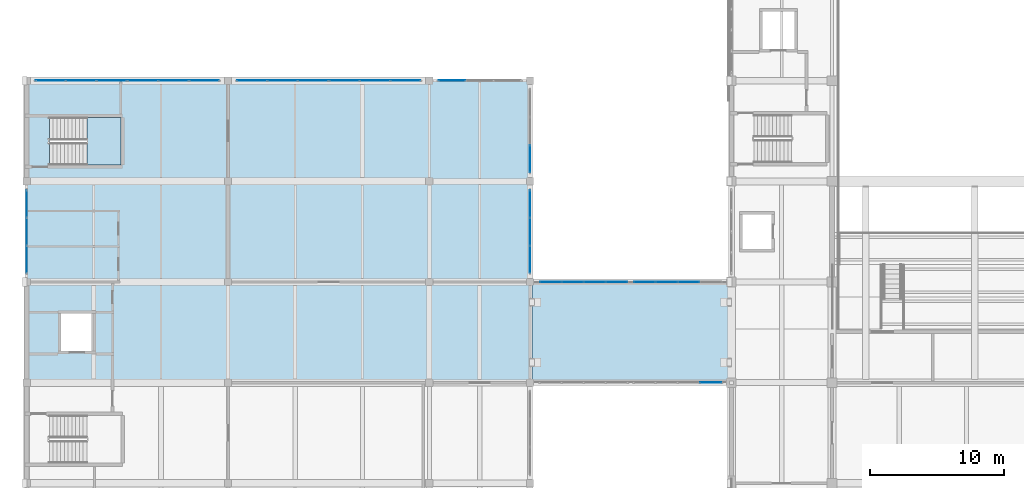
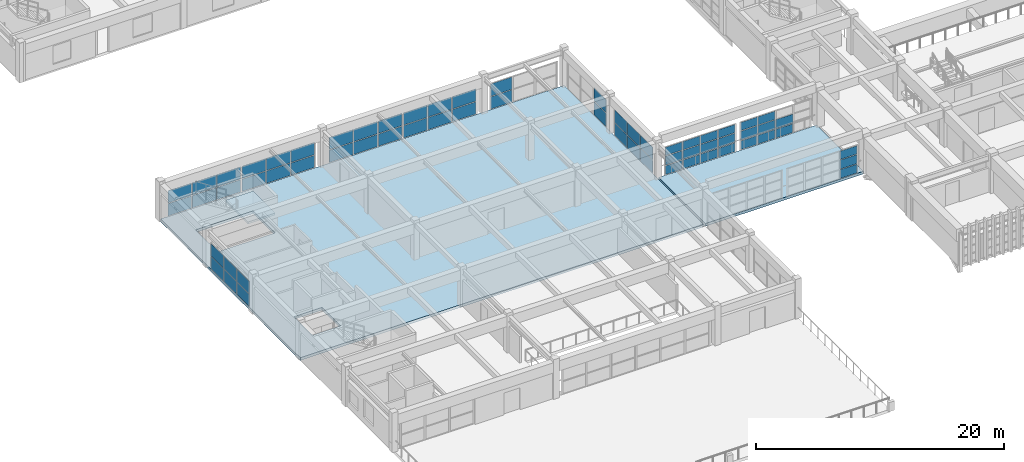
# One storey, part 63 of 101: 63 plates, 3 slabs, 12 elements without a shape of their own.
"""IFC4 building model written with IfcOpenShell, lengths in metres."""

from ifc_helpers import new_model, si_unit, direction, frame, origin, origin_2d, place, context, subcontext, project, spatial, polyline, rectangle, outline, extrude, material, layer, layer_set, type_object, element, aggregate, save


model = new_model("IFC4")

# Units and contexts
model_context = context("Model", 3, precision=1e-05, world=origin(), true_north=direction((0.0, 1.0)))
body_context = subcontext(model_context, "Body", "Model", "MODEL_VIEW")
ifc_project = project(units=[si_unit("LENGTHUNIT", "METRE"), si_unit("AREAUNIT", "SQUARE_METRE"), si_unit("VOLUMEUNIT", "CUBIC_METRE"), si_unit("PLANEANGLEUNIT", "RADIAN"), si_unit("MASSUNIT", "GRAM", prefix="KILO")], contexts=[model_context])

# Site, building, storey
site_placement = place(None, origin())
site = spatial("IfcSite", under=ifc_project, at=site_placement, CompositionType="ELEMENT")
building_placement = place(site_placement, origin())
building = spatial("IfcBuilding", under=site, at=building_placement, Name="Qasida Concert Hall", CompositionType="ELEMENT")
storey_placement = place(building_placement, frame((0.0, 0.0, 13.199951171875)))
storey = spatial("IfcBuildingStorey", under=building, at=storey_placement, Name="L03", CompositionType="ELEMENT", Elevation=13.199951171875)

# Curtain wall, plates
ifc_material_1 = material(Name="Architectural bronze-anodized aluminium and low-E glass", Category="aluminium")
curtain_wall_type = type_object("IfcCurtainWallType", Name="CW-09", PredefinedType="NOTDEFINED", material=ifc_material_1)
curtain_wall_1_placement = place(storey_placement, origin())
curtain_wall_1 = element("IfcCurtainWall", 1, at=curtain_wall_1_placement, inside=storey, type_object=curtain_wall_type, Name="L03 curtain wall CW-09 0118", PredefinedType="NOTDEFINED")
ifc_material_2 = material(Name="Solar-control low-E double glazing", Category="glass")
ifc_layer_1 = layer(ifc_material_2, 0.028076171875, Name="Solar-control low-E double glazing")
ifc_layer_set_1 = layer_set([ifc_layer_1], Name="Solar-control low-E double glazing")
plate_type = type_object("IfcPlateType", Name="PLT-CWP-3", PredefinedType="CURTAIN_PANEL", material=ifc_layer_set_1)
plate_1_placement = place(storey_placement, frame((1.780029296875, 52.5, 0.06005859375), z_axis=(0.0, 0.0, 1.0), x_axis=(1.0, 0.0, 0.0)))
plate_1 = element("IfcPlate", 2, at=plate_1_placement, type_object=plate_type, Name="CW-09 panel 1.1", PredefinedType="CURTAIN_PANEL", context=body_context, shape_type="SweptSolid", body=[
    extrude(rectangle(XDim=2.199951171875, YDim=0.028076171875, at=origin_2d()), origin(), (0.0, 0.0, 1.0), 1.205078125),
])
plate_2_placement = place(storey_placement, frame((1.780029296875, 52.5, 1.324951171875), z_axis=(0.0, 0.0, 1.0), x_axis=(1.0, 0.0, 0.0)))
plate_2 = element("IfcPlate", 3, at=plate_2_placement, type_object=plate_type, Name="CW-09 panel 1.2", PredefinedType="CURTAIN_PANEL", context=body_context, shape_type="SweptSolid", body=[
    extrude(rectangle(XDim=2.199951171875, YDim=0.028076171875, at=origin_2d()), origin(), (0.0, 0.0, 1.0), 1.205078125),
])
plate_3_placement = place(storey_placement, frame((4.054931640625, 52.5, 0.06005859375), z_axis=(0.0, 0.0, 1.0), x_axis=(1.0, 0.0, 0.0)))
plate_3 = element("IfcPlate", 4, at=plate_3_placement, type_object=plate_type, Name="CW-09 panel 2.1", PredefinedType="CURTAIN_PANEL", context=body_context, shape_type="SweptSolid", body=[
    extrude(rectangle(XDim=2.22998046875, YDim=0.028076171875, at=origin_2d()), origin(), (0.0, 0.0, 1.0), 1.205078125),
])
plate_4_placement = place(storey_placement, frame((4.054931640625, 52.5, 1.324951171875), z_axis=(0.0, 0.0, 1.0), x_axis=(1.0, 0.0, 0.0)))
plate_4 = element("IfcPlate", 5, at=plate_4_placement, type_object=plate_type, Name="CW-09 panel 2.2", PredefinedType="CURTAIN_PANEL", context=body_context, shape_type="SweptSolid", body=[
    extrude(rectangle(XDim=2.22998046875, YDim=0.028076171875, at=origin_2d()), origin(), (0.0, 0.0, 1.0), 1.205078125),
])
plate_5_placement = place(storey_placement, frame((6.330078125, 52.5, 0.06005859375), z_axis=(0.0, 0.0, 1.0), x_axis=(1.0, 0.0, 0.0)))
plate_5 = element("IfcPlate", 6, at=plate_5_placement, type_object=plate_type, Name="CW-09 panel 3.1", PredefinedType="CURTAIN_PANEL", context=body_context, shape_type="SweptSolid", body=[
    extrude(rectangle(XDim=2.199951171875, YDim=0.028076171875, at=origin_2d()), origin(), (0.0, 0.0, 1.0), 1.205078125),
])
plate_6_placement = place(storey_placement, frame((6.330078125, 52.5, 1.324951171875), z_axis=(0.0, 0.0, 1.0), x_axis=(1.0, 0.0, 0.0)))
plate_6 = element("IfcPlate", 7, at=plate_6_placement, type_object=plate_type, Name="CW-09 panel 3.2", PredefinedType="CURTAIN_PANEL", context=body_context, shape_type="SweptSolid", body=[
    extrude(rectangle(XDim=2.199951171875, YDim=0.028076171875, at=origin_2d()), origin(), (0.0, 0.0, 1.0), 1.205078125),
])
aggregate(curtain_wall_1, [plate_1, plate_2, plate_3, plate_4, plate_5, plate_6])

curtain_wall_2_placement = place(storey_placement, origin())
curtain_wall_2 = element("IfcCurtainWall", 8, at=curtain_wall_2_placement, inside=storey, type_object=curtain_wall_type, Name="L03 curtain wall CW-09 0119", PredefinedType="NOTDEFINED")
plate_7_placement = place(storey_placement, frame((8.669921875, 52.5, 0.06005859375), z_axis=(0.0, 0.0, 1.0), x_axis=(1.0, 0.0, 0.0)))
plate_7 = element("IfcPlate", 9, at=plate_7_placement, type_object=plate_type, Name="CW-09 panel 1.1", PredefinedType="CURTAIN_PANEL", context=body_context, shape_type="SweptSolid", body=[
    extrude(rectangle(XDim=2.199951171875, YDim=0.028076171875, at=origin_2d()), origin(), (0.0, 0.0, 1.0), 1.205078125),
])
plate_8_placement = place(storey_placement, frame((8.669921875, 52.5, 1.324951171875), z_axis=(0.0, 0.0, 1.0), x_axis=(1.0, 0.0, 0.0)))
plate_8 = element("IfcPlate", 10, at=plate_8_placement, type_object=plate_type, Name="CW-09 panel 1.2", PredefinedType="CURTAIN_PANEL", context=body_context, shape_type="SweptSolid", body=[
    extrude(rectangle(XDim=2.199951171875, YDim=0.028076171875, at=origin_2d()), origin(), (0.0, 0.0, 1.0), 1.205078125),
])
plate_9_placement = place(storey_placement, frame((10.945068359375, 52.5, 0.06005859375), z_axis=(0.0, 0.0, 1.0), x_axis=(1.0, 0.0, 0.0)))
plate_9 = element("IfcPlate", 11, at=plate_9_placement, type_object=plate_type, Name="CW-09 panel 2.1", PredefinedType="CURTAIN_PANEL", context=body_context, shape_type="SweptSolid", body=[
    extrude(rectangle(XDim=2.22998046875, YDim=0.028076171875, at=origin_2d()), origin(), (0.0, 0.0, 1.0), 1.205078125),
])
plate_10_placement = place(storey_placement, frame((10.945068359375, 52.5, 1.324951171875), z_axis=(0.0, 0.0, 1.0), x_axis=(1.0, 0.0, 0.0)))
plate_10 = element("IfcPlate", 12, at=plate_10_placement, type_object=plate_type, Name="CW-09 panel 2.2", PredefinedType="CURTAIN_PANEL", context=body_context, shape_type="SweptSolid", body=[
    extrude(rectangle(XDim=2.22998046875, YDim=0.028076171875, at=origin_2d()), origin(), (0.0, 0.0, 1.0), 1.205078125),
])
plate_11_placement = place(storey_placement, frame((13.219970703125, 52.5, 0.06005859375), z_axis=(0.0, 0.0, 1.0), x_axis=(1.0, 0.0, 0.0)))
plate_11 = element("IfcPlate", 13, at=plate_11_placement, type_object=plate_type, Name="CW-09 panel 3.1", PredefinedType="CURTAIN_PANEL", context=body_context, shape_type="SweptSolid", body=[
    extrude(rectangle(XDim=2.199951171875, YDim=0.028076171875, at=origin_2d()), origin(), (0.0, 0.0, 1.0), 1.205078125),
])
plate_12_placement = place(storey_placement, frame((13.219970703125, 52.5, 1.324951171875), z_axis=(0.0, 0.0, 1.0), x_axis=(1.0, 0.0, 0.0)))
plate_12 = element("IfcPlate", 14, at=plate_12_placement, type_object=plate_type, Name="CW-09 panel 3.2", PredefinedType="CURTAIN_PANEL", context=body_context, shape_type="SweptSolid", body=[
    extrude(rectangle(XDim=2.199951171875, YDim=0.028076171875, at=origin_2d()), origin(), (0.0, 0.0, 1.0), 1.205078125),
])
aggregate(curtain_wall_2, [plate_7, plate_8, plate_9, plate_10, plate_11, plate_12])

curtain_wall_3_placement = place(storey_placement, origin())
curtain_wall_3 = element("IfcCurtainWall", 15, at=curtain_wall_3_placement, inside=storey, type_object=curtain_wall_type, Name="L03 curtain wall CW-09 0121", PredefinedType="NOTDEFINED")
plate_13_placement = place(storey_placement, frame((16.780029296875, 52.5, 0.06005859375), z_axis=(0.0, 0.0, 1.0), x_axis=(1.0, 0.0, 0.0)))
plate_13 = element("IfcPlate", 16, at=plate_13_placement, type_object=plate_type, Name="CW-09 panel 1.1", PredefinedType="CURTAIN_PANEL", context=body_context, shape_type="SweptSolid", body=[
    extrude(rectangle(XDim=2.199951171875, YDim=0.028076171875, at=origin_2d()), origin(), (0.0, 0.0, 1.0), 1.205078125),
])
plate_14_placement = place(storey_placement, frame((16.780029296875, 52.5, 1.324951171875), z_axis=(0.0, 0.0, 1.0), x_axis=(1.0, 0.0, 0.0)))
plate_14 = element("IfcPlate", 17, at=plate_14_placement, type_object=plate_type, Name="CW-09 panel 1.2", PredefinedType="CURTAIN_PANEL", context=body_context, shape_type="SweptSolid", body=[
    extrude(rectangle(XDim=2.199951171875, YDim=0.028076171875, at=origin_2d()), origin(), (0.0, 0.0, 1.0), 1.205078125),
])
plate_15_placement = place(storey_placement, frame((19.054931640625, 52.5, 0.06005859375), z_axis=(0.0, 0.0, 1.0), x_axis=(1.0, 0.0, 0.0)))
plate_15 = element("IfcPlate", 18, at=plate_15_placement, type_object=plate_type, Name="CW-09 panel 2.1", PredefinedType="CURTAIN_PANEL", context=body_context, shape_type="SweptSolid", body=[
    extrude(rectangle(XDim=2.22998046875, YDim=0.028076171875, at=origin_2d()), origin(), (0.0, 0.0, 1.0), 1.205078125),
])
plate_16_placement = place(storey_placement, frame((19.054931640625, 52.5, 1.324951171875), z_axis=(0.0, 0.0, 1.0), x_axis=(1.0, 0.0, 0.0)))
plate_16 = element("IfcPlate", 19, at=plate_16_placement, type_object=plate_type, Name="CW-09 panel 2.2", PredefinedType="CURTAIN_PANEL", context=body_context, shape_type="SweptSolid", body=[
    extrude(rectangle(XDim=2.22998046875, YDim=0.028076171875, at=origin_2d()), origin(), (0.0, 0.0, 1.0), 1.205078125),
])
plate_17_placement = place(storey_placement, frame((21.330078125, 52.5, 0.06005859375), z_axis=(0.0, 0.0, 1.0), x_axis=(1.0, 0.0, 0.0)))
plate_17 = element("IfcPlate", 20, at=plate_17_placement, type_object=plate_type, Name="CW-09 panel 3.1", PredefinedType="CURTAIN_PANEL", context=body_context, shape_type="SweptSolid", body=[
    extrude(rectangle(XDim=2.199951171875, YDim=0.028076171875, at=origin_2d()), origin(), (0.0, 0.0, 1.0), 1.205078125),
])
plate_18_placement = place(storey_placement, frame((21.330078125, 52.5, 1.324951171875), z_axis=(0.0, 0.0, 1.0), x_axis=(1.0, 0.0, 0.0)))
plate_18 = element("IfcPlate", 21, at=plate_18_placement, type_object=plate_type, Name="CW-09 panel 3.2", PredefinedType="CURTAIN_PANEL", context=body_context, shape_type="SweptSolid", body=[
    extrude(rectangle(XDim=2.199951171875, YDim=0.028076171875, at=origin_2d()), origin(), (0.0, 0.0, 1.0), 1.205078125),
])
aggregate(curtain_wall_3, [plate_13, plate_14, plate_15, plate_16, plate_17, plate_18])

curtain_wall_4_placement = place(storey_placement, origin())
curtain_wall_4 = element("IfcCurtainWall", 22, at=curtain_wall_4_placement, inside=storey, type_object=curtain_wall_type, Name="L03 curtain wall CW-09 0123", PredefinedType="NOTDEFINED")
plate_19_placement = place(storey_placement, frame((23.669921875, 52.5, 0.06005859375), z_axis=(0.0, 0.0, 1.0), x_axis=(1.0, 0.0, 0.0)))
plate_19 = element("IfcPlate", 23, at=plate_19_placement, type_object=plate_type, Name="CW-09 panel 1.1", PredefinedType="CURTAIN_PANEL", context=body_context, shape_type="SweptSolid", body=[
    extrude(rectangle(XDim=2.199951171875, YDim=0.028076171875, at=origin_2d()), origin(), (0.0, 0.0, 1.0), 1.205078125),
])
plate_20_placement = place(storey_placement, frame((23.669921875, 52.5, 1.324951171875), z_axis=(0.0, 0.0, 1.0), x_axis=(1.0, 0.0, 0.0)))
plate_20 = element("IfcPlate", 24, at=plate_20_placement, type_object=plate_type, Name="CW-09 panel 1.2", PredefinedType="CURTAIN_PANEL", context=body_context, shape_type="SweptSolid", body=[
    extrude(rectangle(XDim=2.199951171875, YDim=0.028076171875, at=origin_2d()), origin(), (0.0, 0.0, 1.0), 1.205078125),
])
plate_21_placement = place(storey_placement, frame((25.945068359375, 52.5, 0.06005859375), z_axis=(0.0, 0.0, 1.0), x_axis=(1.0, 0.0, 0.0)))
plate_21 = element("IfcPlate", 25, at=plate_21_placement, type_object=plate_type, Name="CW-09 panel 2.1", PredefinedType="CURTAIN_PANEL", context=body_context, shape_type="SweptSolid", body=[
    extrude(rectangle(XDim=2.22998046875, YDim=0.028076171875, at=origin_2d()), origin(), (0.0, 0.0, 1.0), 1.205078125),
])
plate_22_placement = place(storey_placement, frame((25.945068359375, 52.5, 1.324951171875), z_axis=(0.0, 0.0, 1.0), x_axis=(1.0, 0.0, 0.0)))
plate_22 = element("IfcPlate", 26, at=plate_22_placement, type_object=plate_type, Name="CW-09 panel 2.2", PredefinedType="CURTAIN_PANEL", context=body_context, shape_type="SweptSolid", body=[
    extrude(rectangle(XDim=2.22998046875, YDim=0.028076171875, at=origin_2d()), origin(), (0.0, 0.0, 1.0), 1.205078125),
])
plate_23_placement = place(storey_placement, frame((28.219970703125, 52.5, 0.06005859375), z_axis=(0.0, 0.0, 1.0), x_axis=(1.0, 0.0, 0.0)))
plate_23 = element("IfcPlate", 27, at=plate_23_placement, type_object=plate_type, Name="CW-09 panel 3.1", PredefinedType="CURTAIN_PANEL", context=body_context, shape_type="SweptSolid", body=[
    extrude(rectangle(XDim=2.199951171875, YDim=0.028076171875, at=origin_2d()), origin(), (0.0, 0.0, 1.0), 1.205078125),
])
plate_24_placement = place(storey_placement, frame((28.219970703125, 52.5, 1.324951171875), z_axis=(0.0, 0.0, 1.0), x_axis=(1.0, 0.0, 0.0)))
plate_24 = element("IfcPlate", 28, at=plate_24_placement, type_object=plate_type, Name="CW-09 panel 3.2", PredefinedType="CURTAIN_PANEL", context=body_context, shape_type="SweptSolid", body=[
    extrude(rectangle(XDim=2.199951171875, YDim=0.028076171875, at=origin_2d()), origin(), (0.0, 0.0, 1.0), 1.205078125),
])
aggregate(curtain_wall_4, [plate_19, plate_20, plate_21, plate_22, plate_23, plate_24])

curtain_wall_5_placement = place(storey_placement, origin())
curtain_wall_5 = element("IfcCurtainWall", 29, at=curtain_wall_5_placement, inside=storey, type_object=curtain_wall_type, Name="L03 curtain wall CW-09 0124", PredefinedType="NOTDEFINED")
plate_25_placement = place(storey_placement, frame((31.67822265625, 52.5, 0.06005859375), z_axis=(0.0, 0.0, 1.0), x_axis=(1.0, 0.0, 0.0)))
plate_25 = element("IfcPlate", 30, at=plate_25_placement, type_object=plate_type, Name="CW-09 panel 1.1", PredefinedType="CURTAIN_PANEL", context=body_context, shape_type="SweptSolid", body=[
    extrude(rectangle(XDim=1.99658203125, YDim=0.028076171875, at=origin_2d()), origin(), (0.0, 0.0, 1.0), 1.205078125),
])
plate_26_placement = place(storey_placement, frame((31.67822265625, 52.5, 1.324951171875), z_axis=(0.0, 0.0, 1.0), x_axis=(1.0, 0.0, 0.0)))
plate_26 = element("IfcPlate", 31, at=plate_26_placement, type_object=plate_type, Name="CW-09 panel 1.2", PredefinedType="CURTAIN_PANEL", context=body_context, shape_type="SweptSolid", body=[
    extrude(rectangle(XDim=1.99658203125, YDim=0.028076171875, at=origin_2d()), origin(), (0.0, 0.0, 1.0), 1.205078125),
])
aggregate(curtain_wall_5, [plate_25, plate_26])

curtain_wall_6_placement = place(storey_placement, origin())
curtain_wall_6 = element("IfcCurtainWall", 32, at=curtain_wall_6_placement, inside=storey, type_object=curtain_wall_type, Name="L03 curtain wall CW-09 0127", PredefinedType="NOTDEFINED")
plate_27_placement = place(storey_placement, frame((0.0, 39.17822265625, 0.06005859375), z_axis=(0.0, 0.0, 1.0), x_axis=(0.0, 1.0, 0.0)))
plate_27 = element("IfcPlate", 33, at=plate_27_placement, type_object=plate_type, Name="CW-09 panel 1.1", PredefinedType="CURTAIN_PANEL", context=body_context, shape_type="SweptSolid", body=[
    extrude(rectangle(XDim=1.99658203125, YDim=0.028076171875, at=origin_2d()), origin(), (0.0, 0.0, 1.0), 1.205078125),
])
plate_28_placement = place(storey_placement, frame((0.0, 39.17822265625, 1.324951171875), z_axis=(0.0, 0.0, 1.0), x_axis=(0.0, 1.0, 0.0)))
plate_28 = element("IfcPlate", 34, at=plate_28_placement, type_object=plate_type, Name="CW-09 panel 1.2", PredefinedType="CURTAIN_PANEL", context=body_context, shape_type="SweptSolid", body=[
    extrude(rectangle(XDim=1.99658203125, YDim=0.028076171875, at=origin_2d()), origin(), (0.0, 0.0, 1.0), 1.205078125),
])
plate_29_placement = place(storey_placement, frame((0.0, 41.25, 0.06005859375), z_axis=(0.0, 0.0, 1.0), x_axis=(0.0, 1.0, 0.0)))
plate_29 = element("IfcPlate", 35, at=plate_29_placement, type_object=plate_type, Name="CW-09 panel 2.1", PredefinedType="CURTAIN_PANEL", context=body_context, shape_type="SweptSolid", body=[
    extrude(rectangle(XDim=2.026611328125, YDim=0.028076171875, at=origin_2d()), origin(), (0.0, 0.0, 1.0), 1.205078125),
])
plate_30_placement = place(storey_placement, frame((0.0, 41.25, 1.324951171875), z_axis=(0.0, 0.0, 1.0), x_axis=(0.0, 1.0, 0.0)))
plate_30 = element("IfcPlate", 36, at=plate_30_placement, type_object=plate_type, Name="CW-09 panel 2.2", PredefinedType="CURTAIN_PANEL", context=body_context, shape_type="SweptSolid", body=[
    extrude(rectangle(XDim=2.026611328125, YDim=0.028076171875, at=origin_2d()), origin(), (0.0, 0.0, 1.0), 1.205078125),
])
plate_31_placement = place(storey_placement, frame((0.0, 43.32177734375, 0.06005859375), z_axis=(0.0, 0.0, 1.0), x_axis=(0.0, 1.0, 0.0)))
plate_31 = element("IfcPlate", 37, at=plate_31_placement, type_object=plate_type, Name="CW-09 panel 3.1", PredefinedType="CURTAIN_PANEL", context=body_context, shape_type="SweptSolid", body=[
    extrude(rectangle(XDim=1.99658203125, YDim=0.028076171875, at=origin_2d()), origin(), (0.0, 0.0, 1.0), 1.205078125),
])
plate_32_placement = place(storey_placement, frame((0.0, 43.32177734375, 1.324951171875), z_axis=(0.0, 0.0, 1.0), x_axis=(0.0, 1.0, 0.0)))
plate_32 = element("IfcPlate", 38, at=plate_32_placement, type_object=plate_type, Name="CW-09 panel 3.2", PredefinedType="CURTAIN_PANEL", context=body_context, shape_type="SweptSolid", body=[
    extrude(rectangle(XDim=1.99658203125, YDim=0.028076171875, at=origin_2d()), origin(), (0.0, 0.0, 1.0), 1.205078125),
])
aggregate(curtain_wall_6, [plate_27, plate_28, plate_29, plate_30, plate_31, plate_32])

curtain_wall_7_placement = place(storey_placement, origin())
curtain_wall_7 = element("IfcCurtainWall", 39, at=curtain_wall_7_placement, inside=storey, type_object=curtain_wall_type, Name="L03 curtain wall CW-09 0128", PredefinedType="NOTDEFINED")
plate_33_placement = place(storey_placement, frame((37.5, 39.17822265625, 0.06005859375), z_axis=(0.0, 0.0, 1.0), x_axis=(0.0, 1.0, 0.0)))
plate_33 = element("IfcPlate", 40, at=plate_33_placement, type_object=plate_type, Name="CW-09 panel 1.1", PredefinedType="CURTAIN_PANEL", context=body_context, shape_type="SweptSolid", body=[
    extrude(rectangle(XDim=1.99658203125, YDim=0.028076171875, at=origin_2d()), origin(), (0.0, 0.0, 1.0), 1.22998046875),
])
plate_34_placement = place(storey_placement, frame((37.5, 39.17822265625, 1.35009765625), z_axis=(0.0, 0.0, 1.0), x_axis=(0.0, 1.0, 0.0)))
plate_34 = element("IfcPlate", 41, at=plate_34_placement, type_object=plate_type, Name="CW-09 panel 1.2", PredefinedType="CURTAIN_PANEL", context=body_context, shape_type="SweptSolid", body=[
    extrude(rectangle(XDim=1.99658203125, YDim=0.028076171875, at=origin_2d()), origin(), (0.0, 0.0, 1.0), 1.22998046875),
])
plate_35_placement = place(storey_placement, frame((37.5, 41.25, 0.06005859375), z_axis=(0.0, 0.0, 1.0), x_axis=(0.0, 1.0, 0.0)))
plate_35 = element("IfcPlate", 42, at=plate_35_placement, type_object=plate_type, Name="CW-09 panel 2.1", PredefinedType="CURTAIN_PANEL", context=body_context, shape_type="SweptSolid", body=[
    extrude(rectangle(XDim=2.026611328125, YDim=0.028076171875, at=origin_2d()), origin(), (0.0, 0.0, 1.0), 1.22998046875),
])
plate_36_placement = place(storey_placement, frame((37.5, 41.25, 1.35009765625), z_axis=(0.0, 0.0, 1.0), x_axis=(0.0, 1.0, 0.0)))
plate_36 = element("IfcPlate", 43, at=plate_36_placement, type_object=plate_type, Name="CW-09 panel 2.2", PredefinedType="CURTAIN_PANEL", context=body_context, shape_type="SweptSolid", body=[
    extrude(rectangle(XDim=2.026611328125, YDim=0.028076171875, at=origin_2d()), origin(), (0.0, 0.0, 1.0), 1.22998046875),
])
plate_37_placement = place(storey_placement, frame((37.5, 43.32177734375, 0.06005859375), z_axis=(0.0, 0.0, 1.0), x_axis=(0.0, 1.0, 0.0)))
plate_37 = element("IfcPlate", 44, at=plate_37_placement, type_object=plate_type, Name="CW-09 panel 3.1", PredefinedType="CURTAIN_PANEL", context=body_context, shape_type="SweptSolid", body=[
    extrude(rectangle(XDim=1.99658203125, YDim=0.028076171875, at=origin_2d()), origin(), (0.0, 0.0, 1.0), 1.22998046875),
])
plate_38_placement = place(storey_placement, frame((37.5, 43.32177734375, 1.35009765625), z_axis=(0.0, 0.0, 1.0), x_axis=(0.0, 1.0, 0.0)))
plate_38 = element("IfcPlate", 45, at=plate_38_placement, type_object=plate_type, Name="CW-09 panel 3.2", PredefinedType="CURTAIN_PANEL", context=body_context, shape_type="SweptSolid", body=[
    extrude(rectangle(XDim=1.99658203125, YDim=0.028076171875, at=origin_2d()), origin(), (0.0, 0.0, 1.0), 1.22998046875),
])
aggregate(curtain_wall_7, [plate_33, plate_34, plate_35, plate_36, plate_37, plate_38])

curtain_wall_8_placement = place(storey_placement, origin())
curtain_wall_8 = element("IfcCurtainWall", 46, at=curtain_wall_8_placement, inside=storey, type_object=curtain_wall_type, Name="L03 curtain wall CW-09 0129", PredefinedType="NOTDEFINED")
plate_39_placement = place(storey_placement, frame((37.5, 46.67822265625, 0.06005859375), z_axis=(0.0, 0.0, 1.0), x_axis=(0.0, 1.0, 0.0)))
plate_39 = element("IfcPlate", 47, at=plate_39_placement, type_object=plate_type, Name="CW-09 panel 1.1", PredefinedType="CURTAIN_PANEL", context=body_context, shape_type="SweptSolid", body=[
    extrude(rectangle(XDim=1.99658203125, YDim=0.028076171875, at=origin_2d()), origin(), (0.0, 0.0, 1.0), 1.304931640625),
])
plate_40_placement = place(storey_placement, frame((37.5, 46.67822265625, 1.42529296875), z_axis=(0.0, 0.0, 1.0), x_axis=(0.0, 1.0, 0.0)))
plate_40 = element("IfcPlate", 48, at=plate_40_placement, type_object=plate_type, Name="CW-09 panel 1.2", PredefinedType="CURTAIN_PANEL", context=body_context, shape_type="SweptSolid", body=[
    extrude(rectangle(XDim=1.99658203125, YDim=0.028076171875, at=origin_2d()), origin(), (0.0, 0.0, 1.0), 1.304931640625),
])
aggregate(curtain_wall_8, [plate_39, plate_40])

curtain_wall_9_placement = place(storey_placement, origin())
curtain_wall_9 = element("IfcCurtainWall", 49, at=curtain_wall_9_placement, inside=storey, type_object=curtain_wall_type, Name="L03 link bridge glazing 0207", PredefinedType="NOTDEFINED")
plate_41_placement = place(storey_placement, frame((39.0400390625, 37.5, 0.06005859375), z_axis=(0.0, 0.0, 1.0), x_axis=(1.0, 0.0, 0.0)))
plate_41 = element("IfcPlate", 50, at=plate_41_placement, type_object=plate_type, Name="CW-09 panel 1.1", PredefinedType="CURTAIN_PANEL", context=body_context, shape_type="SweptSolid", body=[
    extrude(rectangle(XDim=1.56005859375, YDim=0.028076171875, at=origin_2d()), origin(), (0.0, 0.0, 1.0), 0.860107421875),
])
plate_42_placement = place(storey_placement, frame((39.0400390625, 37.5, 0.97998046875), z_axis=(0.0, 0.0, 1.0), x_axis=(1.0, 0.0, 0.0)))
plate_42 = element("IfcPlate", 51, at=plate_42_placement, type_object=plate_type, Name="CW-09 panel 1.2", PredefinedType="CURTAIN_PANEL", context=body_context, shape_type="SweptSolid", body=[
    extrude(rectangle(XDim=1.56005859375, YDim=0.028076171875, at=origin_2d()), origin(), (0.0, 0.0, 1.0), 0.889892578125),
])
plate_43_placement = place(storey_placement, frame((39.0400390625, 37.5, 1.929931640625), z_axis=(0.0, 0.0, 1.0), x_axis=(1.0, 0.0, 0.0)))
plate_43 = element("IfcPlate", 52, at=plate_43_placement, type_object=plate_type, Name="CW-09 panel 1.3", PredefinedType="CURTAIN_PANEL", context=body_context, shape_type="SweptSolid", body=[
    extrude(rectangle(XDim=1.56005859375, YDim=0.028076171875, at=origin_2d()), origin(), (0.0, 0.0, 1.0), 0.81005859375),
])
plate_44_placement = place(storey_placement, frame((40.675048828125, 37.5, 0.06005859375), z_axis=(0.0, 0.0, 1.0), x_axis=(1.0, 0.0, 0.0)))
plate_44 = element("IfcPlate", 53, at=plate_44_placement, type_object=plate_type, Name="CW-09 panel 2.1", PredefinedType="CURTAIN_PANEL", context=body_context, shape_type="SweptSolid", body=[
    extrude(rectangle(XDim=1.590087890625, YDim=0.028076171875, at=origin_2d()), origin(), (0.0, 0.0, 1.0), 0.860107421875),
])
plate_45_placement = place(storey_placement, frame((40.675048828125, 37.5, 0.97998046875), z_axis=(0.0, 0.0, 1.0), x_axis=(1.0, 0.0, 0.0)))
plate_45 = element("IfcPlate", 54, at=plate_45_placement, type_object=plate_type, Name="CW-09 panel 2.2", PredefinedType="CURTAIN_PANEL", context=body_context, shape_type="SweptSolid", body=[
    extrude(rectangle(XDim=1.590087890625, YDim=0.028076171875, at=origin_2d()), origin(), (0.0, 0.0, 1.0), 0.889892578125),
])
plate_46_placement = place(storey_placement, frame((40.675048828125, 37.5, 1.929931640625), z_axis=(0.0, 0.0, 1.0), x_axis=(1.0, 0.0, 0.0)))
plate_46 = element("IfcPlate", 55, at=plate_46_placement, type_object=plate_type, Name="CW-09 panel 2.3", PredefinedType="CURTAIN_PANEL", context=body_context, shape_type="SweptSolid", body=[
    extrude(rectangle(XDim=1.590087890625, YDim=0.028076171875, at=origin_2d()), origin(), (0.0, 0.0, 1.0), 0.81005859375),
])
plate_47_placement = place(storey_placement, frame((42.324951171875, 37.5, 0.06005859375), z_axis=(0.0, 0.0, 1.0), x_axis=(1.0, 0.0, 0.0)))
plate_47 = element("IfcPlate", 56, at=plate_47_placement, type_object=plate_type, Name="CW-09 panel 3.1", PredefinedType="CURTAIN_PANEL", context=body_context, shape_type="SweptSolid", body=[
    extrude(rectangle(XDim=1.590087890625, YDim=0.028076171875, at=origin_2d()), origin(), (0.0, 0.0, 1.0), 0.860107421875),
])
plate_48_placement = place(storey_placement, frame((42.324951171875, 37.5, 0.97998046875), z_axis=(0.0, 0.0, 1.0), x_axis=(1.0, 0.0, 0.0)))
plate_48 = element("IfcPlate", 57, at=plate_48_placement, type_object=plate_type, Name="CW-09 panel 3.2", PredefinedType="CURTAIN_PANEL", context=body_context, shape_type="SweptSolid", body=[
    extrude(rectangle(XDim=1.590087890625, YDim=0.028076171875, at=origin_2d()), origin(), (0.0, 0.0, 1.0), 0.889892578125),
])
plate_49_placement = place(storey_placement, frame((42.324951171875, 37.5, 1.929931640625), z_axis=(0.0, 0.0, 1.0), x_axis=(1.0, 0.0, 0.0)))
plate_49 = element("IfcPlate", 58, at=plate_49_placement, type_object=plate_type, Name="CW-09 panel 3.3", PredefinedType="CURTAIN_PANEL", context=body_context, shape_type="SweptSolid", body=[
    extrude(rectangle(XDim=1.590087890625, YDim=0.028076171875, at=origin_2d()), origin(), (0.0, 0.0, 1.0), 0.81005859375),
])
plate_50_placement = place(storey_placement, frame((43.9599609375, 37.5, 0.06005859375), z_axis=(0.0, 0.0, 1.0), x_axis=(1.0, 0.0, 0.0)))
plate_50 = element("IfcPlate", 59, at=plate_50_placement, type_object=plate_type, Name="CW-09 panel 4.1", PredefinedType="CURTAIN_PANEL", context=body_context, shape_type="SweptSolid", body=[
    extrude(rectangle(XDim=1.56005859375, YDim=0.028076171875, at=origin_2d()), origin(), (0.0, 0.0, 1.0), 0.860107421875),
])
plate_51_placement = place(storey_placement, frame((43.9599609375, 37.5, 0.97998046875), z_axis=(0.0, 0.0, 1.0), x_axis=(1.0, 0.0, 0.0)))
plate_51 = element("IfcPlate", 60, at=plate_51_placement, type_object=plate_type, Name="CW-09 panel 4.2", PredefinedType="CURTAIN_PANEL", context=body_context, shape_type="SweptSolid", body=[
    extrude(rectangle(XDim=1.56005859375, YDim=0.028076171875, at=origin_2d()), origin(), (0.0, 0.0, 1.0), 0.889892578125),
])
plate_52_placement = place(storey_placement, frame((43.9599609375, 37.5, 1.929931640625), z_axis=(0.0, 0.0, 1.0), x_axis=(1.0, 0.0, 0.0)))
plate_52 = element("IfcPlate", 61, at=plate_52_placement, type_object=plate_type, Name="CW-09 panel 4.3", PredefinedType="CURTAIN_PANEL", context=body_context, shape_type="SweptSolid", body=[
    extrude(rectangle(XDim=1.56005859375, YDim=0.028076171875, at=origin_2d()), origin(), (0.0, 0.0, 1.0), 0.81005859375),
])
aggregate(curtain_wall_9, [plate_41, plate_42, plate_43, plate_44, plate_45, plate_46, plate_47, plate_48, plate_49, plate_50, plate_51, plate_52])

curtain_wall_10_placement = place(storey_placement, origin())
curtain_wall_10 = element("IfcCurtainWall", 62, at=curtain_wall_10_placement, inside=storey, type_object=curtain_wall_type, Name="L03 link bridge glazing 0208", PredefinedType="NOTDEFINED")
plate_53_placement = place(storey_placement, frame((50.9599609375, 30.0, 0.06005859375), z_axis=(0.0, 0.0, 1.0), x_axis=(1.0, 0.0, 0.0)))
plate_53 = element("IfcPlate", 63, at=plate_53_placement, type_object=plate_type, Name="CW-09 panel 4.1", PredefinedType="CURTAIN_PANEL", context=body_context, shape_type="SweptSolid", body=[
    extrude(rectangle(XDim=1.56005859375, YDim=0.028076171875, at=origin_2d()), origin(), (0.0, 0.0, 1.0), 0.860107421875),
])
plate_54_placement = place(storey_placement, frame((50.9599609375, 30.0, 0.97998046875), z_axis=(0.0, 0.0, 1.0), x_axis=(1.0, 0.0, 0.0)))
plate_54 = element("IfcPlate", 64, at=plate_54_placement, type_object=plate_type, Name="CW-09 panel 4.2", PredefinedType="CURTAIN_PANEL", context=body_context, shape_type="SweptSolid", body=[
    extrude(rectangle(XDim=1.56005859375, YDim=0.028076171875, at=origin_2d()), origin(), (0.0, 0.0, 1.0), 0.889892578125),
])
plate_55_placement = place(storey_placement, frame((50.9599609375, 30.0, 1.929931640625), z_axis=(0.0, 0.0, 1.0), x_axis=(1.0, 0.0, 0.0)))
plate_55 = element("IfcPlate", 65, at=plate_55_placement, type_object=plate_type, Name="CW-09 panel 4.3", PredefinedType="CURTAIN_PANEL", context=body_context, shape_type="SweptSolid", body=[
    extrude(rectangle(XDim=1.56005859375, YDim=0.028076171875, at=origin_2d()), origin(), (0.0, 0.0, 1.0), 0.81005859375),
])
aggregate(curtain_wall_10, [plate_53, plate_54, plate_55])

curtain_wall_11_placement = place(storey_placement, origin())
curtain_wall_11 = element("IfcCurtainWall", 66, at=curtain_wall_11_placement, inside=storey, type_object=curtain_wall_type, Name="L03 link bridge glazing 0209", PredefinedType="NOTDEFINED")
plate_56_placement = place(storey_placement, frame((46.0400390625, 37.5, 0.06005859375), z_axis=(0.0, 0.0, 1.0), x_axis=(1.0, 0.0, 0.0)))
plate_56 = element("IfcPlate", 67, at=plate_56_placement, type_object=plate_type, Name="CW-09 panel 1.1", PredefinedType="CURTAIN_PANEL", context=body_context, shape_type="SweptSolid", body=[
    extrude(rectangle(XDim=1.56005859375, YDim=0.028076171875, at=origin_2d()), origin(), (0.0, 0.0, 1.0), 0.860107421875),
])
plate_57_placement = place(storey_placement, frame((46.0400390625, 37.5, 0.97998046875), z_axis=(0.0, 0.0, 1.0), x_axis=(1.0, 0.0, 0.0)))
plate_57 = element("IfcPlate", 68, at=plate_57_placement, type_object=plate_type, Name="CW-09 panel 1.2", PredefinedType="CURTAIN_PANEL", context=body_context, shape_type="SweptSolid", body=[
    extrude(rectangle(XDim=1.56005859375, YDim=0.028076171875, at=origin_2d()), origin(), (0.0, 0.0, 1.0), 0.889892578125),
])
plate_58_placement = place(storey_placement, frame((46.0400390625, 37.5, 1.929931640625), z_axis=(0.0, 0.0, 1.0), x_axis=(1.0, 0.0, 0.0)))
plate_58 = element("IfcPlate", 69, at=plate_58_placement, type_object=plate_type, Name="CW-09 panel 1.3", PredefinedType="CURTAIN_PANEL", context=body_context, shape_type="SweptSolid", body=[
    extrude(rectangle(XDim=1.56005859375, YDim=0.028076171875, at=origin_2d()), origin(), (0.0, 0.0, 1.0), 0.81005859375),
])
plate_59_placement = place(storey_placement, frame((47.675048828125, 37.5, 0.06005859375), z_axis=(0.0, 0.0, 1.0), x_axis=(1.0, 0.0, 0.0)))
plate_59 = element("IfcPlate", 70, at=plate_59_placement, type_object=plate_type, Name="CW-09 panel 2.1", PredefinedType="CURTAIN_PANEL", context=body_context, shape_type="SweptSolid", body=[
    extrude(rectangle(XDim=1.590087890625, YDim=0.028076171875, at=origin_2d()), origin(), (0.0, 0.0, 1.0), 0.860107421875),
])
plate_60_placement = place(storey_placement, frame((47.675048828125, 37.5, 0.97998046875), z_axis=(0.0, 0.0, 1.0), x_axis=(1.0, 0.0, 0.0)))
plate_60 = element("IfcPlate", 71, at=plate_60_placement, type_object=plate_type, Name="CW-09 panel 2.2", PredefinedType="CURTAIN_PANEL", context=body_context, shape_type="SweptSolid", body=[
    extrude(rectangle(XDim=1.590087890625, YDim=0.028076171875, at=origin_2d()), origin(), (0.0, 0.0, 1.0), 0.889892578125),
])
plate_61_placement = place(storey_placement, frame((47.675048828125, 37.5, 1.929931640625), z_axis=(0.0, 0.0, 1.0), x_axis=(1.0, 0.0, 0.0)))
plate_61 = element("IfcPlate", 72, at=plate_61_placement, type_object=plate_type, Name="CW-09 panel 2.3", PredefinedType="CURTAIN_PANEL", context=body_context, shape_type="SweptSolid", body=[
    extrude(rectangle(XDim=1.590087890625, YDim=0.028076171875, at=origin_2d()), origin(), (0.0, 0.0, 1.0), 0.81005859375),
])
plate_62_placement = place(storey_placement, frame((49.324951171875, 37.5, 0.06005859375), z_axis=(0.0, 0.0, 1.0), x_axis=(1.0, 0.0, 0.0)))
plate_62 = element("IfcPlate", 73, at=plate_62_placement, type_object=plate_type, Name="CW-09 panel 3.1", PredefinedType="CURTAIN_PANEL", context=body_context, shape_type="SweptSolid", body=[
    extrude(rectangle(XDim=1.590087890625, YDim=0.028076171875, at=origin_2d()), origin(), (0.0, 0.0, 1.0), 0.860107421875),
])
plate_63_placement = place(storey_placement, frame((49.324951171875, 37.5, 0.97998046875), z_axis=(0.0, 0.0, 1.0), x_axis=(1.0, 0.0, 0.0)))
plate_63 = element("IfcPlate", 74, at=plate_63_placement, type_object=plate_type, Name="CW-09 panel 3.2", PredefinedType="CURTAIN_PANEL", context=body_context, shape_type="SweptSolid", body=[
    extrude(rectangle(XDim=1.590087890625, YDim=0.028076171875, at=origin_2d()), origin(), (0.0, 0.0, 1.0), 0.889892578125),
])
aggregate(curtain_wall_11, [plate_56, plate_57, plate_58, plate_59, plate_60, plate_61, plate_62, plate_63])

# Slabs
ifc_material_3 = material(Name="Concrete C40/50", Category="concrete")
ifc_layer_2 = layer(ifc_material_3, 0.260009765625, Name="Concrete C40/50")
ifc_layer_set_2 = layer_set([ifc_layer_2], Name="Concrete C40/50")
slab_type_1 = type_object("IfcSlabType", Name="SL-FS-260", PredefinedType="FLOOR", material=ifc_layer_set_2)
slab_1_placement = place(storey_placement, frame((0.0, 0.0, -0.260009765625)))
element("IfcSlab", 75, at=slab_1_placement, inside=storey, type_object=slab_type_1, Name="V3 patron salon north (FS-260)", PredefinedType="FLOOR", context=body_context, shape_type="SweptSolid", body=[
    extrude(outline(polyline([(0.0, 30.0), (37.5, 30.0), (37.5, 52.5), (0.0, 52.5), (0.0, 30.0)]), holes=[polyline([(2.449951171875, 32.25), (5.050048828125, 32.25), (5.050048828125, 35.25), (2.449951171875, 35.25), (2.449951171875, 32.25)]), polyline([(1.68994140625, 46.199951171875), (7.02001953125, 46.199951171875), (7.02001953125, 49.760009765625), (1.68994140625, 49.760009765625), (1.68994140625, 46.199951171875)])]), origin(), (0.0, 0.0, 1.0), 0.260009765625),
])
slab_2_placement = place(storey_placement, frame((0.0, 0.0, -0.260009765625)))
element("IfcSlab", 76, at=slab_2_placement, inside=storey, type_object=slab_type_1, Name="Link V3-V1 bridge (FS-260)", PredefinedType="FLOOR", context=body_context, shape_type="SweptSolid", body=[
    extrude(outline(polyline([(37.64990234375, 30.0), (52.35009765625, 30.0), (52.35009765625, 37.5), (37.64990234375, 37.5), (37.64990234375, 30.0)])), origin(), (0.0, 0.0, 1.0), 0.260009765625),
])

# Stair, slab
stair_type = type_object("IfcStairType", Name="ST-DL-168", PredefinedType="HALF_TURN_STAIR", material=ifc_material_3)
stair_placement = place(storey_placement, origin())
stair = element("IfcStair", 77, at=stair_placement, inside=storey, type_object=stair_type, Name="L03 Exit stair ST-04", PredefinedType="HALF_TURN_STAIR")
ifc_layer_3 = layer(ifc_material_3, 0.199951171875, Name="Concrete C40/50")
ifc_layer_set_3 = layer_set([ifc_layer_3], Name="Concrete C40/50")
slab_type_2 = type_object("IfcSlabType", Name="SL-LND-200", PredefinedType="LANDING", material=ifc_layer_set_3)
slab_3_placement = place(storey_placement, frame((0.0, 0.0, 1.75)))
slab_3 = element("IfcSlab", 78, at=slab_3_placement, type_object=slab_type_2, Name="ST-04 landing 1", PredefinedType="LANDING", context=body_context, shape_type="SweptSolid", body=[
    extrude(outline(polyline([(4.47998046875, 46.199951171875), (7.02001953125, 46.199951171875), (7.02001953125, 49.760009765625), (4.47998046875, 49.760009765625), (4.47998046875, 46.199951171875)])), origin(), (0.0, 0.0, 1.0), 0.199951171875),
])
aggregate(stair, [slab_3])

save(model, "model.ifc")
